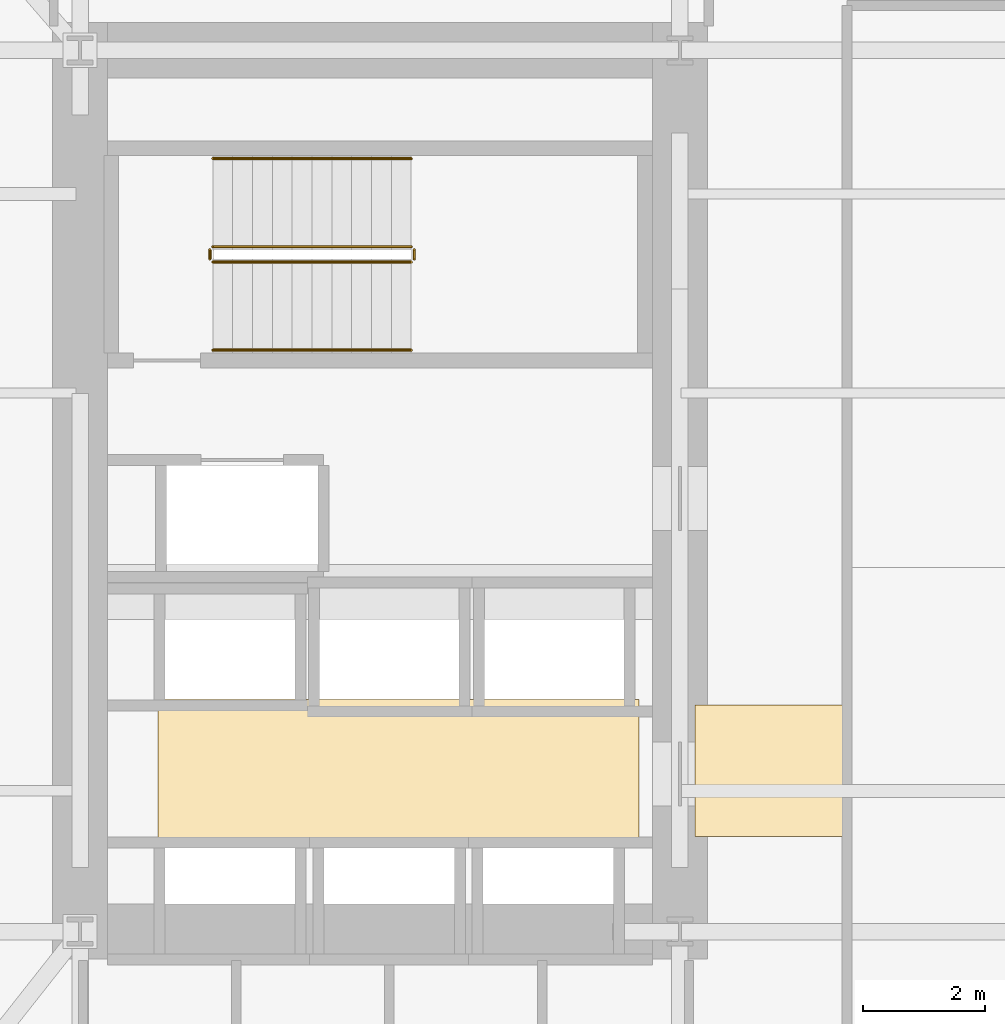
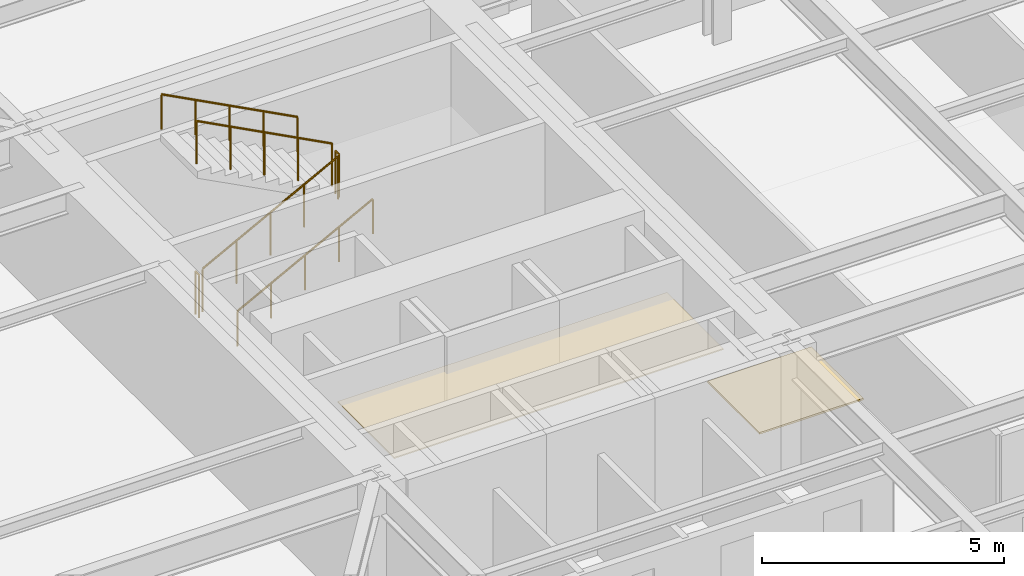
# One storey, part 10 of 15: 6 railings, 2 coverings.
"""IFC4 building model written with IfcOpenShell, lengths in metres."""

from ifc_helpers import new_model, si_unit, direction, frame, origin, origin_2d, place, context, subcontext, project, spatial, polyline, circle, outline, extrude, material, layer, layer_set, type_object, element, save


model = new_model("IFC4")

# Units and contexts
model_context = context("Model", 3, precision=1e-05, world=origin(), true_north=direction((0.0, 1.0)))
body_context = subcontext(model_context, "Body", "Model", "MODEL_VIEW")
ifc_project = project(units=[si_unit("LENGTHUNIT", "METRE"), si_unit("AREAUNIT", "SQUARE_METRE"), si_unit("VOLUMEUNIT", "CUBIC_METRE"), si_unit("PLANEANGLEUNIT", "RADIAN"), si_unit("MASSUNIT", "GRAM", prefix="KILO")], contexts=[model_context])

# Site, building, storey
site_placement = place(None, origin())
site = spatial("IfcSite", under=ifc_project, at=site_placement, CompositionType="ELEMENT")
building_placement = place(site_placement, origin())
building = spatial("IfcBuilding", under=site, at=building_placement, Name="Kolvaren Arena Tower", CompositionType="ELEMENT")
storey_placement = place(building_placement, frame((0.0, 0.0, 72.0)))
storey = spatial("IfcBuildingStorey", under=building, at=storey_placement, Name="L15", CompositionType="ELEMENT", Elevation=72.0)

# Coverings
ifc_material_1 = material(Name="Moisture-resistant gypsum ceiling", Category="gypsum")
ifc_layer_1 = layer(ifc_material_1, 0.030029296875)
ifc_layer_set_1 = layer_set([ifc_layer_1], Name="Moisture-resistant gypsum ceiling")
covering_type_1 = type_object("IfcCoveringType", Name="CEIL-GYP-1", PredefinedType="CEILING", material=ifc_layer_set_1)
covering_1_placement = place(storey_placement, frame((0.0, 0.0, 2.52001953125)))
element("IfcCovering", 1, at=covering_1_placement, inside=storey, type_object=covering_type_1, Name="Suspended Ceiling (L15)", PredefinedType="CEILING", context=body_context, shape_type="SweptSolid", body=[
    extrude(outline(polyline([(15.820068359375, 20.89990234375), (15.820068359375, 23.239990234375), (23.679931640625, 23.239990234375), (23.679931640625, 20.89990234375), (15.820068359375, 20.89990234375)])), origin(), (0.0, 0.0, 1.0), 0.030029296875),
])
ifc_material_2 = material(Name="Raised access office floor finish", Category="aluminium")
ifc_layer_2 = layer(ifc_material_2, 0.044921875)
ifc_layer_set_2 = layer_set([ifc_layer_2], Name="Raised access office floor finish")
covering_type_2 = type_object("IfcCoveringType", Name="FLOR-RAF-1", PredefinedType="FLOORING", material=ifc_layer_set_2)
covering_2_placement = place(storey_placement, origin())
element("IfcCovering", 2, at=covering_2_placement, inside=storey, type_object=covering_type_2, Name="Floor Finish (L15)", PredefinedType="FLOORING", context=body_context, shape_type="SweptSolid", body=[
    extrude(outline(polyline([(24.60009765625, 21.0), (24.60009765625, 23.14990234375), (27.080078125, 23.14990234375), (27.080078125, 21.0), (24.60009765625, 21.0)])), origin(), (0.0, 0.0, 1.0), 0.044921875),
])

# Railings
ifc_material_3 = material(Name="Painted galvanized steel", Category="steel")
railing_type_1 = type_object("IfcRailingType", Name="GUARD-ST-110", PredefinedType="GUARDRAIL", material=ifc_material_3)
railing_1_placement = place(storey_placement, frame((16.719970703125, 30.389892578125, 0.17041015625)))
element("IfcRailing", 3, at=railing_1_placement, inside=storey, type_object=railing_type_1, Name="L15 ST-W1 stair guard 1", PredefinedType="GUARDRAIL", context=body_context, shape_type="SweptSolid", body=[
    extrude(circle(Radius=0.02392578125, at=origin_2d()), frame((0.0, 0.0, 1.076171875), z_axis=(0.884993431791, 0.0, 0.465603506952), x_axis=(0.0, 1.0, 0.0)), (0.0, 0.0, 1.0), 3.6611328125),
    extrude(circle(Radius=0.02099609375, at=origin_2d()), origin(), (0.0, 0.0, 1.0), 1.052001953125),
    extrude(circle(Radius=0.02099609375, at=origin_2d()), frame((0.81005859375, 0.0, 0.42626953125)), (0.0, 0.0, 1.0), 1.052001953125),
    extrude(circle(Radius=0.02099609375, at=origin_2d()), frame((1.6201171875, 0.0, 0.852294921875)), (0.0, 0.0, 1.0), 1.052001953125),
    extrude(circle(Radius=0.02099609375, at=origin_2d()), frame((2.429931640625, 0.0, 1.2783203125)), (0.0, 0.0, 1.0), 1.052001953125),
    extrude(circle(Radius=0.02099609375, at=origin_2d()), frame((3.239990234375, 0.0, 1.70458984375)), (0.0, 0.0, 1.0), 1.052001953125),
])
railing_2_placement = place(storey_placement, frame((20.010009765625, 30.43994140625, 1.875)))
element("IfcRailing", 4, at=railing_2_placement, inside=storey, type_object=railing_type_1, Name="L15 ST-W1 stair guard 2", PredefinedType="GUARDRAIL", context=body_context, shape_type="SweptSolid", body=[
    extrude(circle(Radius=0.02392578125, at=origin_2d()), frame((0.0, 0.0, 1.076171875), z_axis=(0.0, 1.0, 0.0), x_axis=(-1.0, 0.0, 0.0)), (0.0, 0.0, 1.0), 0.150146484375),
    extrude(circle(Radius=0.02099609375, at=origin_2d()), origin(), (0.0, 0.0, 1.0), 1.052001953125),
    extrude(circle(Radius=0.02099609375, at=origin_2d()), frame((0.0, 0.150146484375, 0.0)), (0.0, 0.0, 1.0), 1.052001953125),
])
railing_3_placement = place(storey_placement, frame((19.9599609375, 30.639892578125, 2.04541015625)))
element("IfcRailing", 5, at=railing_3_placement, inside=storey, type_object=railing_type_1, Name="L15 ST-W1 stair guard 3", PredefinedType="GUARDRAIL", context=body_context, shape_type="SweptSolid", body=[
    extrude(circle(Radius=0.02392578125, at=origin_2d()), frame((0.0, 0.0, 1.076171875), z_axis=(-0.884993431791, 0.0, 0.465603506952), x_axis=(0.0, -1.0, 0.0)), (0.0, 0.0, 1.0), 3.6611328125),
    extrude(circle(Radius=0.02099609375, at=origin_2d()), origin(), (0.0, 0.0, 1.0), 1.052001953125),
    extrude(circle(Radius=0.02099609375, at=origin_2d()), frame((-0.81005859375, 0.0, 0.42626953125)), (0.0, 0.0, 1.0), 1.052001953125),
    extrude(circle(Radius=0.02099609375, at=origin_2d()), frame((-1.6201171875, 0.0, 0.852294921875)), (0.0, 0.0, 1.0), 1.052001953125),
    extrude(circle(Radius=0.02099609375, at=origin_2d()), frame((-2.429931640625, 0.0, 1.2783203125)), (0.0, 0.0, 1.0), 1.052001953125),
    extrude(circle(Radius=0.02099609375, at=origin_2d()), frame((-3.239990234375, 0.0, 1.70458984375)), (0.0, 0.0, 1.0), 1.052001953125),
])
railing_4_placement = place(storey_placement, frame((16.669921875, 30.43994140625, 0.0)))
element("IfcRailing", 6, at=railing_4_placement, inside=storey, type_object=railing_type_1, Name="L15 ST-W1 stair guard 4", PredefinedType="GUARDRAIL", context=body_context, shape_type="SweptSolid", body=[
    extrude(circle(Radius=0.02392578125, at=origin_2d()), frame((0.0, 0.0, 1.076171875), z_axis=(0.0, 1.0, 0.0), x_axis=(-1.0, 0.0, 0.0)), (0.0, 0.0, 1.0), 0.150146484375),
    extrude(circle(Radius=0.02099609375, at=origin_2d()), origin(), (0.0, 0.0, 1.0), 1.052001953125),
    extrude(circle(Radius=0.02099609375, at=origin_2d()), frame((0.0, 0.150146484375, 0.0)), (0.0, 0.0, 1.0), 1.052001953125),
])
ifc_material_4 = material(Name="Brushed stainless steel handrail", Category="steel")
railing_type_2 = type_object("IfcRailingType", Name="HRAIL-900", PredefinedType="HANDRAIL", material=ifc_material_4)
railing_5_placement = place(storey_placement, frame((16.719970703125, 28.949951171875, 0.17041015625)))
element("IfcRailing", 7, at=railing_5_placement, inside=storey, type_object=railing_type_2, Name="L15 ST-W1 stair handrail 1", PredefinedType="HANDRAIL", context=body_context, shape_type="SweptSolid", body=[
    extrude(circle(Radius=0.02392578125, at=origin_2d()), frame((0.0, 0.0, 0.8759765625), z_axis=(0.884993431791, 0.0, 0.465603506952), x_axis=(0.0, 1.0, 0.0)), (0.0, 0.0, 1.0), 3.6611328125),
    extrude(circle(Radius=0.02099609375, at=origin_2d()), origin(), (0.0, 0.0, 1.0), 0.851806640625),
    extrude(circle(Radius=0.02099609375, at=origin_2d()), frame((0.81005859375, 0.0, 0.42626953125)), (0.0, 0.0, 1.0), 0.851806640625),
    extrude(circle(Radius=0.02099609375, at=origin_2d()), frame((1.6201171875, 0.0, 0.852294921875)), (0.0, 0.0, 1.0), 0.851806640625),
    extrude(circle(Radius=0.02099609375, at=origin_2d()), frame((2.429931640625, 0.0, 1.2783203125)), (0.0, 0.0, 1.0), 0.851806640625),
    extrude(circle(Radius=0.02099609375, at=origin_2d()), frame((3.239990234375, 0.0, 1.70458984375)), (0.0, 0.0, 1.0), 0.851806640625),
])
railing_6_placement = place(storey_placement, frame((19.9599609375, 32.080078125, 2.04541015625)))
element("IfcRailing", 8, at=railing_6_placement, inside=storey, type_object=railing_type_2, Name="L15 ST-W1 stair handrail 2", PredefinedType="HANDRAIL", context=body_context, shape_type="SweptSolid", body=[
    extrude(circle(Radius=0.02392578125, at=origin_2d()), frame((0.0, 0.0, 0.8759765625), z_axis=(-0.884993431791, 0.0, 0.465603506952), x_axis=(0.0, -1.0, 0.0)), (0.0, 0.0, 1.0), 3.6611328125),
    extrude(circle(Radius=0.02099609375, at=origin_2d()), origin(), (0.0, 0.0, 1.0), 0.851806640625),
    extrude(circle(Radius=0.02099609375, at=origin_2d()), frame((-0.81005859375, 0.0, 0.42626953125)), (0.0, 0.0, 1.0), 0.851806640625),
    extrude(circle(Radius=0.02099609375, at=origin_2d()), frame((-1.6201171875, 0.0, 0.852294921875)), (0.0, 0.0, 1.0), 0.851806640625),
    extrude(circle(Radius=0.02099609375, at=origin_2d()), frame((-2.429931640625, 0.0, 1.2783203125)), (0.0, 0.0, 1.0), 0.851806640625),
    extrude(circle(Radius=0.02099609375, at=origin_2d()), frame((-3.239990234375, 0.0, 1.70458984375)), (0.0, 0.0, 1.0), 0.851806640625),
])

save(model, "model.ifc")
